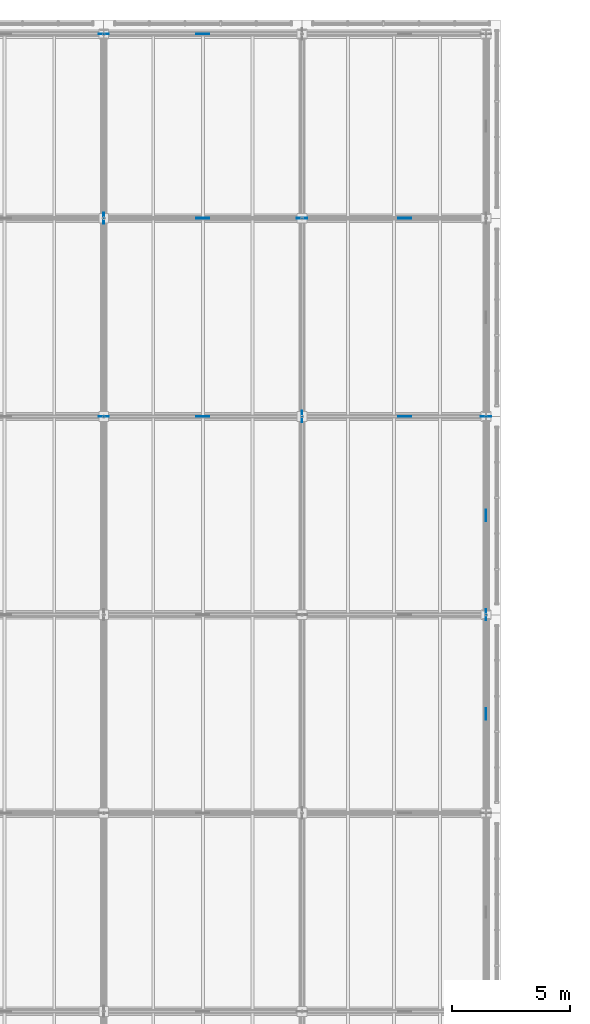
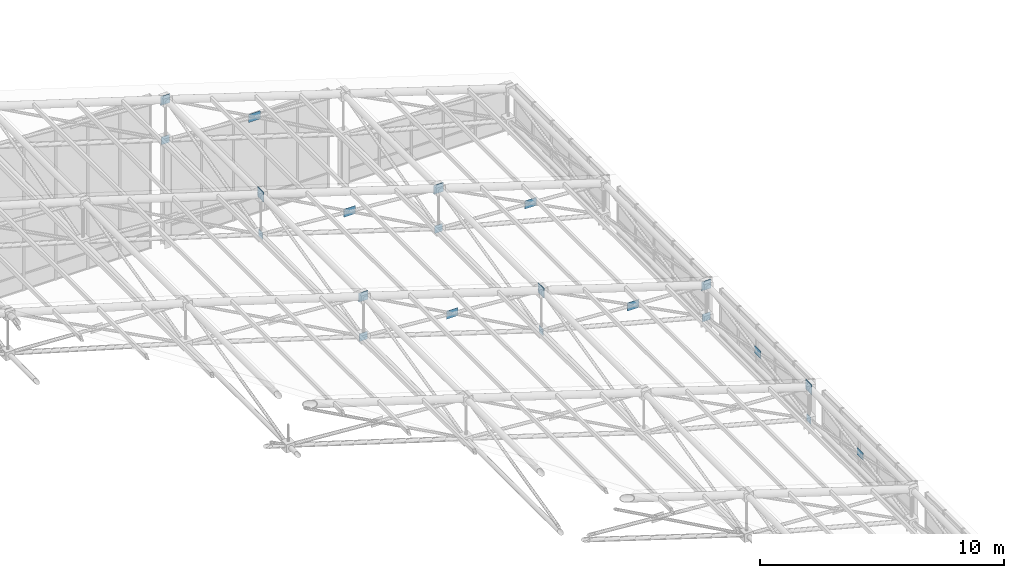
# One storey, part 129 of 144: 21 plates.
"""IFC4 building model written with IfcOpenShell, lengths in metres."""

from ifc_helpers import new_model, si_unit, direction, frame, origin, origin_2d, place, context, subcontext, project, spatial, rectangle, extrude, material, layer, layer_set, type_object, element, save


model = new_model("IFC4")

# Units and contexts
model_context = context("Model", 3, precision=1e-05, world=origin(), true_north=direction((0.0, 1.0)))
body_context = subcontext(model_context, "Body", "Model", "MODEL_VIEW")
ifc_project = project(units=[si_unit("LENGTHUNIT", "METRE"), si_unit("AREAUNIT", "SQUARE_METRE"), si_unit("VOLUMEUNIT", "CUBIC_METRE"), si_unit("PLANEANGLEUNIT", "RADIAN"), si_unit("MASSUNIT", "GRAM", prefix="KILO")], contexts=[model_context])

# Site, building, storey
site_placement = place(None, origin())
site = spatial("IfcSite", under=ifc_project, at=site_placement, CompositionType="ELEMENT")
building_placement = place(site_placement, origin())
building = spatial("IfcBuilding", under=site, at=building_placement, Name="Zayran Congress Hotel", CompositionType="ELEMENT")
storey_placement = place(building_placement, frame((0.0, 0.0, 19.199951171875)))
storey = spatial("IfcBuildingStorey", under=building, at=storey_placement, Name="L04", CompositionType="ELEMENT", Elevation=19.199951171875)

# Plates
ifc_material = material(Name="Steel S355", Category="steel")
ifc_layer_1 = layer(ifc_material, 0.02490234375)
ifc_layer_set_1 = layer_set([ifc_layer_1], Name="Steel S355")
plate_type_1 = type_object("IfcPlateType", Name="TP-SN-CP1", PredefinedType="USERDEFINED", material=ifc_layer_set_1)
for number, where, z_axis, x_axis, name in (
    (1, (75.60009765625, 101.199951171875, 7.08203125), (0.0, 0.0, 1.0), (1.0, 0.0, 0.0), "Space Frame Node Cap Plate 61"),
    (2, (75.60009765625, 117.39990234375, 7.08203125), (0.0, 0.0, 1.0), (1.0, 0.0, 0.0), "Space Frame Node Cap Plate 63"),
    (3, (84.0, 109.60009765625, 4.43212890625), (0.0, 0.0, 1.0), (1.0, 0.0, 0.0), "Space Frame Node Cap Plate 69"),
    (4, (91.800048828125, 101.199951171875, 1.971435546875), (0.0, 0.0, 1.0), (1.0, 0.0, 0.0), "Space Frame Node Cap Plate 75"),
):
    element("IfcPlate", number, at=place(storey_placement, frame(where, z_axis=z_axis, x_axis=x_axis)), inside=storey, type_object=plate_type_1, Name=name, ObjectType="GUSSET_PLATE", PredefinedType="USERDEFINED", context=body_context, shape_type="SweptSolid", body=[
        extrude(rectangle(XDim=0.43994140625, YDim=0.02490234375, at=origin_2d()), origin(), (0.0, 0.0, 1.0), 0.43994140625),
    ])
ifc_layer_2 = layer(ifc_material, 0.02490234375)
ifc_layer_set_2 = layer_set([ifc_layer_2], Name="Steel S355")
plate_type_2 = type_object("IfcPlateType", Name="TP-SN-CP2", PredefinedType="USERDEFINED", material=ifc_layer_set_2)
for number, where, z_axis, x_axis, name in (
    (5, (75.60009765625, 101.199951171875, 5.110107421875), (0.0, 0.0, 1.0), (1.0, 0.0, 0.0), "Space Frame Node Cap Plate 138"),
    (6, (75.60009765625, 117.39990234375, 5.110107421875), (0.0, 0.0, 1.0), (1.0, 0.0, 0.0), "Space Frame Node Cap Plate 140"),
    (7, (84.0, 109.60009765625, 2.460205078125), (0.0, 0.0, 1.0), (1.0, 0.0, 0.0), "Space Frame Node Cap Plate 146"),
    (8, (91.800048828125, 101.199951171875, 0.41015625), (0.0, 0.0, 1.0), (1.0, 0.0, 0.0), "Space Frame Node Cap Plate 152"),
):
    element("IfcPlate", number, at=place(storey_placement, frame(where, z_axis=z_axis, x_axis=x_axis)), inside=storey, type_object=plate_type_2, Name=name, ObjectType="GUSSET_PLATE", PredefinedType="USERDEFINED", context=body_context, shape_type="SweptSolid", body=[
        extrude(rectangle(XDim=0.3798828125, YDim=0.02490234375, at=origin_2d()), origin(), (0.0, 0.0, 1.0), 0.3798828125),
    ])
ifc_layer_3 = layer(ifc_material, 0.02001953125)
ifc_layer_set_3 = layer_set([ifc_layer_3], Name="Steel S355")
plate_type_3 = type_object("IfcPlateType", Name="TP-SN-CP3", PredefinedType="USERDEFINED", material=ifc_layer_set_3)
for number, where, z_axis, x_axis, name in (
    (9, (75.60009765625, 109.60009765625, 5.1298828125), (0.0, 0.0, 1.0), (0.0, 1.0, 0.0), "Space Frame Node Cap Plate 139"),
    (10, (84.0, 101.199951171875, 2.47998046875), (0.0, 0.0, 1.0), (0.0, 1.0, 0.0), "Space Frame Node Cap Plate 145"),
    (11, (91.800048828125, 92.800048828125, 0.43017578125), (0.0, 0.0, 1.0), (0.0, 1.0, 0.0), "Space Frame Node Cap Plate 151"),
):
    element("IfcPlate", number, at=place(storey_placement, frame(where, z_axis=z_axis, x_axis=x_axis)), inside=storey, type_object=plate_type_3, Name=name, ObjectType="GUSSET_PLATE", PredefinedType="USERDEFINED", context=body_context, shape_type="SweptSolid", body=[
        extrude(rectangle(XDim=0.340087890625, YDim=0.02001953125, at=origin_2d()), origin(), (0.0, 0.0, 1.0), 0.340087890625),
    ])
ifc_layer_4 = layer(ifc_material, 0.028076171875)
ifc_layer_set_4 = layer_set([ifc_layer_4], Name="Steel S355")
plate_type_4 = type_object("IfcPlateType", Name="TP-SN-CP4", PredefinedType="USERDEFINED", material=ifc_layer_set_4)
for number, where, z_axis, x_axis, name in (
    (12, (75.60009765625, 109.60009765625, 7.06201171875), (0.0, 0.0, 1.0), (0.0, 1.0, 0.0), "Space Frame Node Cap Plate 62"),
    (13, (84.0, 101.199951171875, 4.412109375), (0.0, 0.0, 1.0), (0.0, 1.0, 0.0), "Space Frame Node Cap Plate 68"),
    (14, (91.800048828125, 92.800048828125, 1.951416015625), (0.0, 0.0, 1.0), (0.0, 1.0, 0.0), "Space Frame Node Cap Plate 74"),
):
    element("IfcPlate", number, at=place(storey_placement, frame(where, z_axis=z_axis, x_axis=x_axis)), inside=storey, type_object=plate_type_4, Name=name, ObjectType="GUSSET_PLATE", PredefinedType="USERDEFINED", context=body_context, shape_type="SweptSolid", body=[
        extrude(rectangle(XDim=0.47998046875, YDim=0.028076171875, at=origin_2d()), origin(), (0.0, 0.0, 1.0), 0.47998046875),
    ])
ifc_layer_5 = layer(ifc_material, 0.02490234375)
ifc_layer_set_5 = layer_set([ifc_layer_5], Name="Steel S355")
plate_type_5 = type_object("IfcPlateType", Name="TP-GS-01", PredefinedType="USERDEFINED", material=ifc_layer_set_5)
for number, where, z_axis, x_axis, name in (
    (15, (79.800048828125, 101.199951171875, 4.776123046875), (0.0, 0.0, 1.0), (1.0, 0.0, 0.0), "V1 Brace Crossing Gusset Plate 73"),
    (16, (79.800048828125, 109.60009765625, 4.776123046875), (0.0, 0.0, 1.0), (1.0, 0.0, 0.0), "V1 Brace Crossing Gusset Plate 74"),
    (17, (79.800048828125, 117.39990234375, 4.776123046875), (0.0, 0.0, 1.0), (1.0, 0.0, 0.0), "V1 Brace Crossing Gusset Plate 75"),
    (18, (88.345703125, 101.199951171875, 2.194580078125), (0.0, 0.0, 1.0), (1.0, 0.0, 0.0), "V1 Brace Crossing Gusset Plate 80"),
    (19, (88.345703125, 109.60009765625, 2.194580078125), (0.0, 0.0, 1.0), (1.0, 0.0, 0.0), "V1 Brace Crossing Gusset Plate 81"),
):
    element("IfcPlate", number, at=place(storey_placement, frame(where, z_axis=z_axis, x_axis=x_axis)), inside=storey, type_object=plate_type_5, Name=name, ObjectType="GUSSET_PLATE", PredefinedType="USERDEFINED", context=body_context, shape_type="SweptSolid", body=[
        extrude(rectangle(XDim=0.550048828125, YDim=0.02490234375, at=origin_2d()), origin(), (0.0, 0.0, 1.0), 0.39990234375),
    ])
ifc_layer_6 = layer(ifc_material, 0.02001953125)
ifc_layer_set_6 = layer_set([ifc_layer_6], Name="Steel S355")
plate_type_6 = type_object("IfcPlateType", Name="TP-GS-02", PredefinedType="USERDEFINED", material=ifc_layer_set_6)
for number, where, z_axis, x_axis, name in (
    (20, (91.800048828125, 88.60009765625, 1.2158203125), (0.0, 0.0, 1.0), (0.0, 1.0, 0.0), "V1 Brace Crossing Gusset Plate 85"),
    (21, (91.800048828125, 97.0, 1.2158203125), (0.0, 0.0, 1.0), (0.0, 1.0, 0.0), "V1 Brace Crossing Gusset Plate 86"),
):
    element("IfcPlate", number, at=place(storey_placement, frame(where, z_axis=z_axis, x_axis=x_axis)), inside=storey, type_object=plate_type_6, Name=name, ObjectType="GUSSET_PLATE", PredefinedType="USERDEFINED", context=body_context, shape_type="SweptSolid", body=[
        extrude(rectangle(XDim=0.47998046875, YDim=0.02001953125, at=origin_2d()), origin(), (0.0, 0.0, 1.0), 0.360107421875),
    ])

save(model, "model.ifc")
